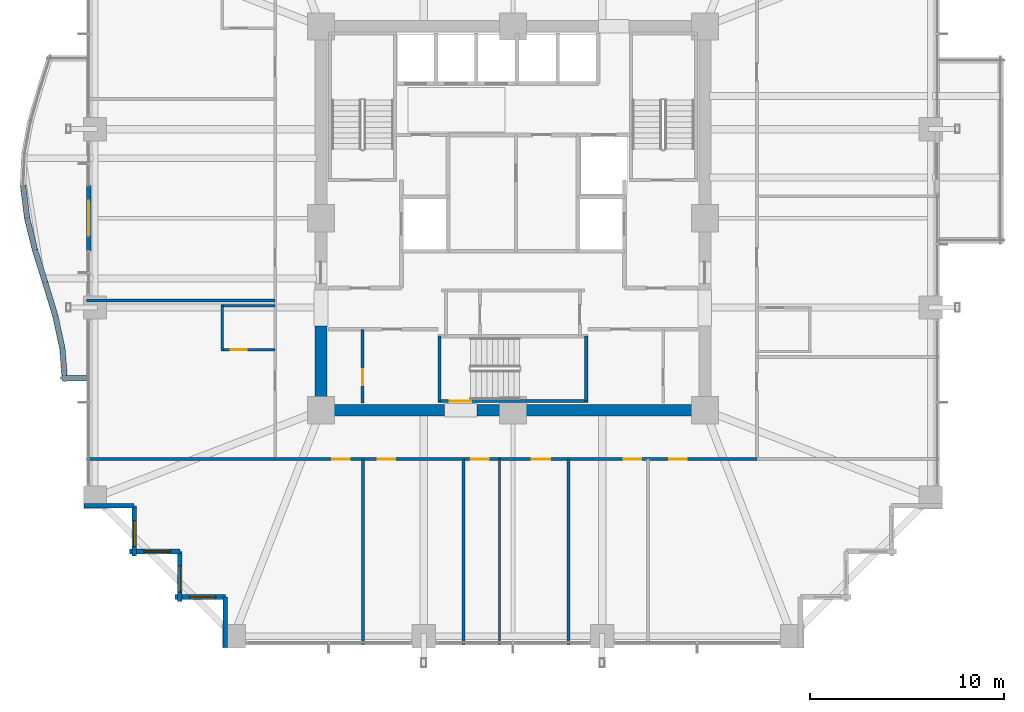
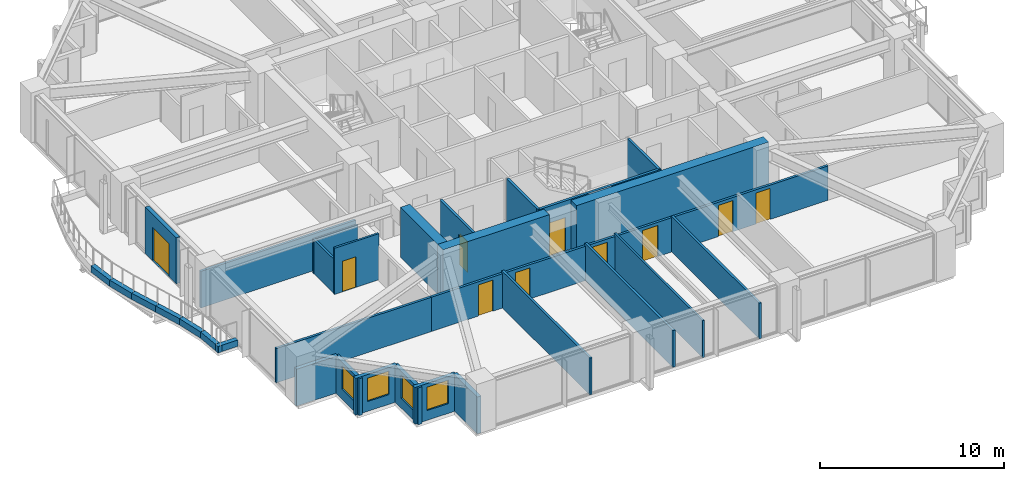
# One storey, part 32 of 38: 31 walls, 10 doors, 4 windows, 14 openings.
"""IFC4 building model written with IfcOpenShell, lengths in metres."""

from ifc_helpers import new_model, si_unit, direction, frame, frame_2d, origin, place, context, subcontext, project, spatial, rectangle, extrude, material, layer, layer_set, type_object, element, fill, save


model = new_model("IFC4")

# Units and contexts
model_context = context("Model", 3, precision=1e-05, world=origin(), true_north=direction((0.0, 1.0)))
body_context = subcontext(model_context, "Body", "Model", "MODEL_VIEW")
ifc_project = project(units=[si_unit("LENGTHUNIT", "METRE"), si_unit("AREAUNIT", "SQUARE_METRE"), si_unit("VOLUMEUNIT", "CUBIC_METRE"), si_unit("PLANEANGLEUNIT", "RADIAN"), si_unit("MASSUNIT", "GRAM", prefix="KILO")], contexts=[model_context])

# Site, building, storey
site_placement = place(None, origin())
site = spatial("IfcSite", under=ifc_project, at=site_placement, CompositionType="ELEMENT")
building_placement = place(site_placement, origin())
building = spatial("IfcBuilding", under=site, at=building_placement, Name="Kolvaren Belvedere", CompositionType="ELEMENT")
storey_placement = place(building_placement, frame((0.0, 0.0, 53.5)))
storey = spatial("IfcBuildingStorey", under=building, at=storey_placement, Name="L15", CompositionType="ELEMENT", Elevation=53.5)

# Walls
ifc_material_1 = material(Name="Concrete C60/75", Category="concrete")
ifc_layer_1 = layer(ifc_material_1, 0.60009765625)
ifc_layer_set_1 = layer_set([ifc_layer_1], Name="Concrete C60/75")
wall_type_1 = type_object("IfcWallType", Name="CW-CORE-600", PredefinedType="SHEAR", material=ifc_layer_set_1)
wall_1_placement = place(storey_placement, frame((10.199951171875, -9.89990234375, 0.0), z_axis=(0.0, 0.0, 1.0), x_axis=(-1.0, 0.0, 0.0)))
element("IfcWall", 1, at=wall_1_placement, inside=storey, type_object=wall_type_1, Name="L15 South Core Shear Wall 1", PredefinedType="SHEAR", context=body_context, shape_type="SweptSolid", body=[
    extrude(rectangle(XDim=12.06005859375, YDim=0.60009765625, at=frame_2d((6.030029296875, 0.0))), origin(), (0.0, 0.0, 1.0), 3.300048828125),
])
wall_2_placement = place(storey_placement, frame((-3.5400390625, -9.89990234375, 0.0), z_axis=(0.0, 0.0, 1.0), x_axis=(-1.0, 0.0, 0.0)))
element("IfcWall", 2, at=wall_2_placement, inside=storey, type_object=wall_type_1, Name="L15 South Core Shear Wall 2", PredefinedType="SHEAR", context=body_context, shape_type="SweptSolid", body=[
    extrude(rectangle(XDim=6.659912109375, YDim=0.60009765625, at=frame_2d((3.330078125, 0.0))), origin(), (0.0, 0.0, 1.0), 3.300048828125),
])
wall_3_placement = place(storey_placement, frame((-9.89990234375, -9.60009765625, 0.0), z_axis=(0.0, 0.0, 1.0), x_axis=(0.0, 1.0, 0.0)))
element("IfcWall", 3, at=wall_3_placement, inside=storey, type_object=wall_type_1, Name="L15 West Core Shear Wall 1", PredefinedType="SHEAR", context=body_context, shape_type="SweptSolid", body=[
    extrude(rectangle(XDim=4.050048828125, YDim=0.60009765625, at=frame_2d((2.02490234375, 0.0))), origin(), (0.0, 0.0, 1.0), 3.300048828125),
])

# Wall, opening, door
ifc_material_2 = material(Name="Concrete C50/60", Category="concrete")
ifc_layer_2 = layer(ifc_material_2, 0.159912109375)
ifc_layer_set_2 = layer_set([ifc_layer_2], Name="Concrete C50/60")
wall_type_2 = type_object("IfcWallType", Name="CW-STAIR-160", PredefinedType="SHEAR", material=ifc_layer_set_2)
wall_4_placement = place(storey_placement, frame((3.860107421875, -9.429931640625, 0.0), z_axis=(0.0, 0.0, 1.0), x_axis=(-1.0, 0.0, 0.0)))
wall_4 = element("IfcWall", 4, at=wall_4_placement, inside=storey, type_object=wall_type_2, Name="L15 Stair ST-3 South Shear Wall", PredefinedType="SHEAR", context=body_context, shape_type="SweptSolid", body=[
    extrude(rectangle(XDim=7.72021484375, YDim=0.159912109375, at=frame_2d((3.860107421875, 0.0))), origin(), (0.0, 0.0, 1.0), 3.300048828125),
])
opening_1_placement = place(wall_4_placement, frame((6.010009765625, 0.0, 0.0)))
opening_1 = element("IfcOpeningElement", 5, at=opening_1_placement, cuts=wall_4, Name="Opening D-FD90", PredefinedType="OPENING", context=body_context, shape_type="SweptSolid", body=[
    extrude(rectangle(XDim=1.10009765625, YDim=2.199951171875, at=frame_2d((0.550048828125, 1.10009765625))), frame((0.0, 0.08984375, 0.0), z_axis=(0.0, -1.0, 0.0), x_axis=(1.0, 0.0, 0.0)), (0.0, 0.0, 1.0), 0.179931640625),
])
ifc_material_3 = material(Name="Painted hollow stainless steel", Category="steel")
door_type_1 = type_object("IfcDoorType", Name="DR-FD90-1100", OperationType="NOTDEFINED", PredefinedType="DOOR", material=ifc_material_3)
door_1_placement = place(opening_1_placement, origin())
door_1 = element("IfcDoor", 6, at=door_1_placement, inside=storey, type_object=door_type_1, Name="L15 Stair ST-3 Exit Door", OperationType="SINGLE_SWING_RIGHT", OverallHeight=2.199951171875, OverallWidth=1.10009765625, PredefinedType="DOOR", context=body_context, shape_type="SweptSolid", body=[
    extrude(rectangle(XDim=1.10009765625, YDim=2.199951171875, at=frame_2d((0.550048828125, 1.10009765625))), frame((0.0, 0.02490234375, 0.0), z_axis=(0.0, -1.0, 0.0), x_axis=(1.0, 0.0, 0.0)), (0.0, 0.0, 1.0), 0.050048828125),
])
fill(opening_1, door_1)

# Walls
for number, where, z_axis, x_axis, name in (
    (7, (-3.780029296875, -9.429931640625, 0.0), (0.0, 0.0, 1.0), (0.0, 1.0, 0.0), "L15 Stair ST-3 West Shear Wall"),
    (8, (3.780029296875, -9.429931640625, 0.0), (0.0, 0.0, 1.0), (0.0, 1.0, 0.0), "L15 Stair ST-3 East Shear Wall"),
):
    element("IfcWall", number, at=place(storey_placement, frame(where, z_axis=z_axis, x_axis=x_axis)), inside=storey, type_object=wall_type_2, Name=name, PredefinedType="SHEAR", context=body_context, shape_type="SweptSolid", body=[
        extrude(rectangle(XDim=3.349853515625, YDim=0.159912109375, at=frame_2d((1.6748046875, 0.0))), origin(), (0.0, 0.0, 1.0), 3.300048828125),
    ])

# Wall, openings, doors
ifc_material_4 = material(Name="Gypsum fire-rated partition assembly", Category="gypsum")
ifc_layer_3 = layer(ifc_material_4, 0.14990234375)
ifc_layer_set_3 = layer_set([ifc_layer_3], Name="Gypsum fire-rated partition assembly")
wall_type_3 = type_object("IfcWallType", Name="WL-CORR-150", PredefinedType="PARTITIONING", material=ifc_layer_set_3)
wall_5_placement = place(storey_placement, frame((-12.260009765625, -12.419921875, 0.0), z_axis=(0.0, 0.0, 1.0), x_axis=(1.0, 0.0, 0.0)))
wall_5 = element("IfcWall", 9, at=wall_5_placement, inside=storey, type_object=wall_type_3, Name="L15 South Corridor Wall", PredefinedType="PARTITIONING", context=body_context, shape_type="SweptSolid", body=[
    extrude(rectangle(XDim=24.840087890625, YDim=0.14990234375, at=frame_2d((12.419921875, 0.0))), origin(), (0.0, 0.0, 1.0), 2.27197265625),
])
opening_2_placement = place(wall_5_placement, frame((2.9443359375, 0.0, 0.0)))
opening_2 = element("IfcOpeningElement", 10, at=opening_2_placement, cuts=wall_5, Name="Opening D-INT90", PredefinedType="OPENING", context=body_context, shape_type="SweptSolid", body=[
    extrude(rectangle(XDim=0.89990234375, YDim=2.06005859375, at=frame_2d((0.449951171875, 1.030029296875))), frame((0.0, 0.0849609375, 0.0), z_axis=(0.0, -1.0, 0.0), x_axis=(1.0, 0.0, 0.0)), (0.0, 0.0, 1.0), 0.169921875),
])
opening_3_placement = place(wall_5_placement, frame((5.279296875, 0.0, 0.0)))
opening_3 = element("IfcOpeningElement", 11, at=opening_3_placement, cuts=wall_5, Name="Opening D-INT90", PredefinedType="OPENING", context=body_context, shape_type="SweptSolid", body=[
    extrude(rectangle(XDim=0.89990234375, YDim=2.06005859375, at=frame_2d((0.449951171875, 1.030029296875))), frame((0.0, 0.0849609375, 0.0), z_axis=(0.0, -1.0, 0.0), x_axis=(1.0, 0.0, 0.0)), (0.0, 0.0, 1.0), 0.169921875),
])
opening_4_placement = place(wall_5_placement, frame((10.119873046875, 0.0, 0.0)))
opening_4 = element("IfcOpeningElement", 12, at=opening_4_placement, cuts=wall_5, Name="Opening D-INT90", PredefinedType="OPENING", context=body_context, shape_type="SweptSolid", body=[
    extrude(rectangle(XDim=0.89990234375, YDim=2.06005859375, at=frame_2d((0.449951171875, 1.030029296875))), frame((0.0, 0.0849609375, 0.0), z_axis=(0.0, -1.0, 0.0), x_axis=(1.0, 0.0, 0.0)), (0.0, 0.0, 1.0), 0.169921875),
])
opening_5_placement = place(wall_5_placement, frame((13.22802734375, 0.0, 0.0)))
opening_5 = element("IfcOpeningElement", 13, at=opening_5_placement, cuts=wall_5, Name="Opening D-INT95", PredefinedType="OPENING", context=body_context, shape_type="SweptSolid", body=[
    extrude(rectangle(XDim=0.949951171875, YDim=2.06005859375, at=frame_2d((0.47509765625, 1.030029296875))), frame((0.0, 0.0849609375, 0.0), z_axis=(0.0, -1.0, 0.0), x_axis=(1.0, 0.0, 0.0)), (0.0, 0.0, 1.0), 0.169921875),
])
opening_6_placement = place(wall_5_placement, frame((17.983154296875, 0.0, 0.0)))
opening_6 = element("IfcOpeningElement", 14, at=opening_6_placement, cuts=wall_5, Name="Opening D-INT90", PredefinedType="OPENING", context=body_context, shape_type="SweptSolid", body=[
    extrude(rectangle(XDim=0.89990234375, YDim=2.06005859375, at=frame_2d((0.449951171875, 1.030029296875))), frame((0.0, 0.0849609375, 0.0), z_axis=(0.0, -1.0, 0.0), x_axis=(1.0, 0.0, 0.0)), (0.0, 0.0, 1.0), 0.169921875),
])
opening_7_placement = place(wall_5_placement, frame((20.318115234375, 0.0, 0.0)))
opening_7 = element("IfcOpeningElement", 15, at=opening_7_placement, cuts=wall_5, Name="Opening D-INT90", PredefinedType="OPENING", context=body_context, shape_type="SweptSolid", body=[
    extrude(rectangle(XDim=0.89990234375, YDim=2.06005859375, at=frame_2d((0.449951171875, 1.030029296875))), frame((0.0, 0.0849609375, 0.0), z_axis=(0.0, -1.0, 0.0), x_axis=(1.0, 0.0, 0.0)), (0.0, 0.0, 1.0), 0.169921875),
])
ifc_material_5 = material(Name="Stained Pacific white oak", Category="timber")
door_type_2 = type_object("IfcDoorType", Name="DR-INT-900", OperationType="NOTDEFINED", PredefinedType="DOOR", material=ifc_material_5)
door_2_placement = place(opening_2_placement, origin())
door_2 = element("IfcDoor", 16, at=door_2_placement, inside=storey, type_object=door_type_2, Name="L15 Lounge 1501 Door", OperationType="SINGLE_SWING_LEFT", OverallHeight=2.06005859375, OverallWidth=0.89990234375, PredefinedType="DOOR", context=body_context, shape_type="SweptSolid", body=[
    extrude(rectangle(XDim=0.89990234375, YDim=2.06005859375, at=frame_2d((0.449951171875, 1.030029296875))), frame((0.0, 0.02490234375, 0.0), z_axis=(0.0, -1.0, 0.0), x_axis=(1.0, 0.0, 0.0)), (0.0, 0.0, 1.0), 0.050048828125),
])
fill(opening_2, door_2)
door_3_placement = place(opening_3_placement, origin())
door_3 = element("IfcDoor", 17, at=door_3_placement, inside=storey, type_object=door_type_2, Name="L15 Wellness Yoga & Reading Gym 1502 Door", OperationType="SINGLE_SWING_RIGHT", OverallHeight=2.06005859375, OverallWidth=0.89990234375, PredefinedType="DOOR", context=body_context, shape_type="SweptSolid", body=[
    extrude(rectangle(XDim=0.89990234375, YDim=2.06005859375, at=frame_2d((0.449951171875, 1.030029296875))), frame((0.0, 0.02490234375, 0.0), z_axis=(0.0, -1.0, 0.0), x_axis=(1.0, 0.0, 0.0)), (0.0, 0.0, 1.0), 0.050048828125),
])
fill(opening_3, door_3)
door_4_placement = place(opening_4_placement, origin())
door_4 = element("IfcDoor", 18, at=door_4_placement, inside=storey, type_object=door_type_2, Name="L15 Housekeeping Door", OperationType="SINGLE_SWING_LEFT", OverallHeight=2.06005859375, OverallWidth=0.89990234375, PredefinedType="DOOR", context=body_context, shape_type="SweptSolid", body=[
    extrude(rectangle(XDim=0.89990234375, YDim=2.06005859375, at=frame_2d((0.449951171875, 1.030029296875))), frame((0.0, 0.02490234375, 0.0), z_axis=(0.0, -1.0, 0.0), x_axis=(1.0, 0.0, 0.0)), (0.0, 0.0, 1.0), 0.050048828125),
])
fill(opening_4, door_4)
door_5_placement = place(opening_6_placement, origin())
door_5 = element("IfcDoor", 19, at=door_5_placement, inside=storey, type_object=door_type_2, Name="L15 Guest Tea & Espresso Kitchen 1503 Door", OperationType="SINGLE_SWING_LEFT", OverallHeight=2.06005859375, OverallWidth=0.89990234375, PredefinedType="DOOR", context=body_context, shape_type="SweptSolid", body=[
    extrude(rectangle(XDim=0.89990234375, YDim=2.06005859375, at=frame_2d((0.449951171875, 1.030029296875))), frame((0.0, 0.02490234375, 0.0), z_axis=(0.0, -1.0, 0.0), x_axis=(1.0, 0.0, 0.0)), (0.0, 0.0, 1.0), 0.050048828125),
])
fill(opening_6, door_5)
door_6_placement = place(opening_7_placement, origin())
door_6 = element("IfcDoor", 20, at=door_6_placement, inside=storey, type_object=door_type_2, Name="L15 Lounge 1504 Door", OperationType="SINGLE_SWING_RIGHT", OverallHeight=2.06005859375, OverallWidth=0.89990234375, PredefinedType="DOOR", context=body_context, shape_type="SweptSolid", body=[
    extrude(rectangle(XDim=0.89990234375, YDim=2.06005859375, at=frame_2d((0.449951171875, 1.030029296875))), frame((0.0, 0.02490234375, 0.0), z_axis=(0.0, -1.0, 0.0), x_axis=(1.0, 0.0, 0.0)), (0.0, 0.0, 1.0), 0.050048828125),
])
fill(opening_7, door_6)
ifc_material_6 = material(Name="Stained Pacific white oak", Category="timber")
door_type_3 = type_object("IfcDoorType", Name="DR-INT-950", OperationType="NOTDEFINED", PredefinedType="DOOR", material=ifc_material_6)
door_7_placement = place(opening_5_placement, origin())
door_7 = element("IfcDoor", 21, at=door_7_placement, inside=storey, type_object=door_type_3, Name="L15 Accessible Washroom Door", OperationType="SINGLE_SWING_RIGHT", OverallHeight=2.06005859375, OverallWidth=0.949951171875, PredefinedType="DOOR", context=body_context, shape_type="SweptSolid", body=[
    extrude(rectangle(XDim=0.949951171875, YDim=2.06005859375, at=frame_2d((0.47509765625, 1.030029296875))), frame((0.0, 0.02490234375, 0.0), z_axis=(0.0, -1.0, 0.0), x_axis=(1.0, 0.0, 0.0)), (0.0, 0.0, 1.0), 0.050048828125),
])
fill(opening_5, door_7)

# Wall, opening, door
ifc_material_7 = material(Name="Insulated pale-metal facade wall assembly", Category="aluminium")
ifc_layer_4 = layer(ifc_material_7, 0.239990234375)
ifc_layer_set_4 = layer_set([ifc_layer_4], Name="Insulated pale-metal facade wall assembly")
wall_type_4 = type_object("IfcWallType", Name="WL-EXT-240", PredefinedType="STANDARD", material=ifc_layer_set_4)
wall_6_placement = place(storey_placement, frame((-21.8798828125, -1.679931640625, 0.0), z_axis=(0.0, 0.0, 1.0), x_axis=(0.0, 1.0, 0.0)))
wall_6 = element("IfcWall", 22, at=wall_6_placement, inside=storey, type_object=wall_type_4, Name="L15 West Terrace Portal Wall", PredefinedType="STANDARD", context=body_context, shape_type="SweptSolid", body=[
    extrude(rectangle(XDim=3.35986328125, YDim=0.239990234375, at=frame_2d((1.679931640625, 0.0))), origin(), (0.0, 0.0, 1.0), 3.06005859375),
])
opening_8_placement = place(wall_6_placement, frame((0.780029296875, 0.0, 0.0)))
opening_8 = element("IfcOpeningElement", 23, at=opening_8_placement, cuts=wall_6, Name="Opening DB-1800", PredefinedType="OPENING", context=body_context, shape_type="SweptSolid", body=[
    extrude(rectangle(XDim=1.800048828125, YDim=2.199951171875, at=frame_2d((0.89990234375, 1.10009765625))), frame((0.0, 0.1298828125, 0.0), z_axis=(0.0, -1.0, 0.0), x_axis=(1.0, 0.0, 0.0)), (0.0, 0.0, 1.0), 0.260009765625),
])
ifc_material_8 = material(Name="Thermally broken pale-metal aluminium & low-iron glass", Category="aluminium")
door_type_4 = type_object("IfcDoorType", Name="DR-BAL-1800", OperationType="DOUBLE_DOOR_SLIDING", PredefinedType="DOOR", material=ifc_material_8)
door_8_placement = place(opening_8_placement, origin())
door_8 = element("IfcDoor", 24, at=door_8_placement, inside=storey, type_object=door_type_4, Name="L15 West Planted Terrace Sliding Door", OperationType="DOUBLE_DOOR_SLIDING", OverallHeight=2.199951171875, OverallWidth=1.800048828125, PredefinedType="DOOR", context=body_context, shape_type="SweptSolid", body=[
    extrude(rectangle(XDim=1.800048828125, YDim=2.199951171875, at=frame_2d((0.89990234375, 1.10009765625))), frame((0.0, 0.02490234375, 0.0), z_axis=(0.0, -1.0, 0.0), x_axis=(1.0, 0.0, 0.0)), (0.0, 0.0, 1.0), 0.050048828125),
])
fill(opening_8, door_8)

# Wall
wall_7_placement = place(storey_placement, frame((-19.530029296875, -14.830078125, 0.0), z_axis=(0.0, 0.0, 1.0), x_axis=(-1.0, 0.0, 0.0)))
element("IfcWall", 25, at=wall_7_placement, inside=storey, type_object=wall_type_4, Name="L15 Serrated Corner Facade Wall 23", PredefinedType="STANDARD", context=body_context, shape_type="SweptSolid", body=[
    extrude(rectangle(XDim=2.590087890625, YDim=0.239990234375, at=frame_2d((1.294921875, 0.0))), origin(), (0.0, 0.0, 1.0), 2.43896484375),
])

# Wall, opening, window
wall_8_placement = place(storey_placement, frame((-19.530029296875, -17.419921875, 0.0), z_axis=(0.0, 0.0, 1.0), x_axis=(0.0, 1.0, 0.0)))
wall_8 = element("IfcWall", 26, at=wall_8_placement, inside=storey, type_object=wall_type_4, Name="L15 Serrated Corner Facade Wall 24", PredefinedType="STANDARD", context=body_context, shape_type="SweptSolid", body=[
    extrude(rectangle(XDim=2.58984375, YDim=0.239990234375, at=frame_2d((1.294921875, 0.0))), origin(), (0.0, 0.0, 1.0), 2.43896484375),
])
opening_9_placement = place(wall_8_placement, frame((0.5, 0.0, 0.64990234375)))
opening_9 = element("IfcOpeningElement", 27, at=opening_9_placement, cuts=wall_8, Name="Opening W-1350", PredefinedType="OPENING", context=body_context, shape_type="SweptSolid", body=[
    extrude(rectangle(XDim=1.35009765625, YDim=1.550048828125, at=frame_2d((0.675048828125, 0.77490234375))), frame((0.0, 0.1298828125, 0.0), z_axis=(0.0, -1.0, 0.0), x_axis=(1.0, 0.0, 0.0)), (0.0, 0.0, 1.0), 0.260009765625),
])
ifc_material_9 = material(Name="Low-iron triple insulated glass", Category="glass")
window_type = type_object("IfcWindowType", Name="WN-CORN-1350", PartitioningType="SINGLE_PANEL", PredefinedType="WINDOW", material=ifc_material_9)
window_1_placement = place(opening_9_placement, origin())
window_1 = element("IfcWindow", 28, at=window_1_placement, inside=storey, type_object=window_type, Name="L15 Serrated Corner Vision Window 24", OverallHeight=1.550048828125, OverallWidth=1.35009765625, PartitioningType="SINGLE_PANEL", PredefinedType="WINDOW", context=body_context, shape_type="SweptSolid", body=[
    extrude(rectangle(XDim=1.35009765625, YDim=1.550048828125, at=frame_2d((0.675048828125, 0.77490234375))), frame((0.0, 0.030029296875, 0.0), z_axis=(0.0, -1.0, 0.0), x_axis=(1.0, 0.0, 0.0)), (0.0, 0.0, 1.0), 0.06005859375),
])
fill(opening_9, window_1)

wall_9_placement = place(storey_placement, frame((-17.179931640625, -17.179931640625, 0.0), z_axis=(0.0, 0.0, 1.0), x_axis=(-1.0, 0.0, 0.0)))
wall_9 = element("IfcWall", 29, at=wall_9_placement, inside=storey, type_object=wall_type_4, Name="L15 Serrated Corner Facade Wall 25", PredefinedType="STANDARD", context=body_context, shape_type="SweptSolid", body=[
    extrude(rectangle(XDim=2.590087890625, YDim=0.239990234375, at=frame_2d((1.294921875, 0.0))), origin(), (0.0, 0.0, 1.0), 2.43896484375),
])
opening_10_placement = place(wall_9_placement, frame((0.5, 0.0, 0.64990234375)))
opening_10 = element("IfcOpeningElement", 30, at=opening_10_placement, cuts=wall_9, Name="Opening W-1350", PredefinedType="OPENING", context=body_context, shape_type="SweptSolid", body=[
    extrude(rectangle(XDim=1.35009765625, YDim=1.550048828125, at=frame_2d((0.675048828125, 0.77490234375))), frame((0.0, 0.1298828125, 0.0), z_axis=(0.0, -1.0, 0.0), x_axis=(1.0, 0.0, 0.0)), (0.0, 0.0, 1.0), 0.260009765625),
])
window_2_placement = place(opening_10_placement, origin())
window_2 = element("IfcWindow", 31, at=window_2_placement, inside=storey, type_object=window_type, Name="L15 Serrated Corner Vision Window 25", OverallHeight=1.550048828125, OverallWidth=1.35009765625, PartitioningType="SINGLE_PANEL", PredefinedType="WINDOW", context=body_context, shape_type="SweptSolid", body=[
    extrude(rectangle(XDim=1.35009765625, YDim=1.550048828125, at=frame_2d((0.675048828125, 0.77490234375))), frame((0.0, 0.030029296875, 0.0), z_axis=(0.0, -1.0, 0.0), x_axis=(1.0, 0.0, 0.0)), (0.0, 0.0, 1.0), 0.06005859375),
])
fill(opening_10, window_2)

wall_10_placement = place(storey_placement, frame((-17.179931640625, -19.77001953125, 0.0), z_axis=(0.0, 0.0, 1.0), x_axis=(0.0, 1.0, 0.0)))
wall_10 = element("IfcWall", 32, at=wall_10_placement, inside=storey, type_object=wall_type_4, Name="L15 Serrated Corner Facade Wall 26", PredefinedType="STANDARD", context=body_context, shape_type="SweptSolid", body=[
    extrude(rectangle(XDim=2.590087890625, YDim=0.239990234375, at=frame_2d((1.294921875, 0.0))), origin(), (0.0, 0.0, 1.0), 2.43896484375),
])
opening_11_placement = place(wall_10_placement, frame((0.5, 0.0, 0.64990234375)))
opening_11 = element("IfcOpeningElement", 33, at=opening_11_placement, cuts=wall_10, Name="Opening W-1350", PredefinedType="OPENING", context=body_context, shape_type="SweptSolid", body=[
    extrude(rectangle(XDim=1.35009765625, YDim=1.550048828125, at=frame_2d((0.675048828125, 0.77490234375))), frame((0.0, 0.1298828125, 0.0), z_axis=(0.0, -1.0, 0.0), x_axis=(1.0, 0.0, 0.0)), (0.0, 0.0, 1.0), 0.260009765625),
])
window_3_placement = place(opening_11_placement, origin())
window_3 = element("IfcWindow", 34, at=window_3_placement, inside=storey, type_object=window_type, Name="L15 Serrated Corner Vision Window 26", OverallHeight=1.550048828125, OverallWidth=1.35009765625, PartitioningType="SINGLE_PANEL", PredefinedType="WINDOW", context=body_context, shape_type="SweptSolid", body=[
    extrude(rectangle(XDim=1.35009765625, YDim=1.550048828125, at=frame_2d((0.675048828125, 0.77490234375))), frame((0.0, 0.030029296875, 0.0), z_axis=(0.0, -1.0, 0.0), x_axis=(1.0, 0.0, 0.0)), (0.0, 0.0, 1.0), 0.06005859375),
])
fill(opening_11, window_3)

wall_11_placement = place(storey_placement, frame((-14.830078125, -19.530029296875, 0.0), z_axis=(0.0, 0.0, 1.0), x_axis=(-1.0, 0.0, 0.0)))
wall_11 = element("IfcWall", 35, at=wall_11_placement, inside=storey, type_object=wall_type_4, Name="L15 Serrated Corner Facade Wall 27", PredefinedType="STANDARD", context=body_context, shape_type="SweptSolid", body=[
    extrude(rectangle(XDim=2.58984375, YDim=0.239990234375, at=frame_2d((1.294921875, 0.0))), origin(), (0.0, 0.0, 1.0), 2.43896484375),
])
opening_12_placement = place(wall_11_placement, frame((0.5, 0.0, 0.64990234375)))
opening_12 = element("IfcOpeningElement", 36, at=opening_12_placement, cuts=wall_11, Name="Opening W-1350", PredefinedType="OPENING", context=body_context, shape_type="SweptSolid", body=[
    extrude(rectangle(XDim=1.35009765625, YDim=1.550048828125, at=frame_2d((0.675048828125, 0.77490234375))), frame((0.0, 0.1298828125, 0.0), z_axis=(0.0, -1.0, 0.0), x_axis=(1.0, 0.0, 0.0)), (0.0, 0.0, 1.0), 0.260009765625),
])
window_4_placement = place(opening_12_placement, origin())
window_4 = element("IfcWindow", 37, at=window_4_placement, inside=storey, type_object=window_type, Name="L15 Serrated Corner Vision Window 27", OverallHeight=1.550048828125, OverallWidth=1.35009765625, PartitioningType="SINGLE_PANEL", PredefinedType="WINDOW", context=body_context, shape_type="SweptSolid", body=[
    extrude(rectangle(XDim=1.35009765625, YDim=1.550048828125, at=frame_2d((0.675048828125, 0.77490234375))), frame((0.0, 0.030029296875, 0.0), z_axis=(0.0, -1.0, 0.0), x_axis=(1.0, 0.0, 0.0)), (0.0, 0.0, 1.0), 0.06005859375),
])
fill(opening_12, window_4)

# Wall
wall_12_placement = place(storey_placement, frame((-14.830078125, -22.1201171875, 0.0), z_axis=(0.0, 0.0, 1.0), x_axis=(0.0, 1.0, 0.0)))
element("IfcWall", 38, at=wall_12_placement, inside=storey, type_object=wall_type_4, Name="L15 Serrated Corner Facade Wall 28", PredefinedType="STANDARD", context=body_context, shape_type="SweptSolid", body=[
    extrude(rectangle(XDim=2.590087890625, YDim=0.239990234375, at=frame_2d((1.294921875, 0.0))), origin(), (0.0, 0.0, 1.0), 2.43896484375),
])

# Wall, opening, door
ifc_material_10 = material(Name="Gypsum acoustic partition assembly", Category="gypsum")
ifc_layer_5 = layer(ifc_material_10, 0.14990234375)
ifc_layer_set_5 = layer_set([ifc_layer_5], Name="Gypsum acoustic partition assembly")
wall_type_5 = type_object("IfcWallType", Name="WL-PART-150", PredefinedType="PARTITIONING", material=ifc_layer_set_5)
wall_13_placement = place(storey_placement, frame((-7.75, -9.52001953125, 0.0), z_axis=(0.0, 0.0, 1.0), x_axis=(0.0, 1.0, 0.0)))
wall_13 = element("IfcWall", 39, at=wall_13_placement, inside=storey, type_object=wall_type_5, Name="L15 SW Core Asymmetric Divider", PredefinedType="PARTITIONING", context=body_context, shape_type="SweptSolid", body=[
    extrude(rectangle(XDim=3.800048828125, YDim=0.14990234375, at=frame_2d((1.89990234375, 0.0))), origin(), (0.0, 0.0, 1.0), 3.06005859375),
])
opening_13_placement = place(wall_13_placement, frame((0.89990234375, 0.0, 0.0)))
opening_13 = element("IfcOpeningElement", 40, at=opening_13_placement, cuts=wall_13, Name="Opening D-INT85", PredefinedType="OPENING", context=body_context, shape_type="SweptSolid", body=[
    extrude(rectangle(XDim=0.85009765625, YDim=2.030029296875, at=frame_2d((0.425048828125, 1.01513671875))), frame((0.0, 0.0849609375, 0.0), z_axis=(0.0, -1.0, 0.0), x_axis=(1.0, 0.0, 0.0)), (0.0, 0.0, 1.0), 0.169921875),
])
ifc_material_11 = material(Name="Stained Pacific white oak", Category="timber")
door_type_5 = type_object("IfcDoorType", Name="DR-INT-850", OperationType="NOTDEFINED", PredefinedType="DOOR", material=ifc_material_11)
door_9_placement = place(opening_13_placement, origin())
door_9 = element("IfcDoor", 41, at=door_9_placement, inside=storey, type_object=door_type_5, Name="L15 SW Glassware Door", OperationType="SINGLE_SWING_RIGHT", OverallHeight=2.030029296875, OverallWidth=0.85009765625, PredefinedType="DOOR", context=body_context, shape_type="SweptSolid", body=[
    extrude(rectangle(XDim=0.85009765625, YDim=2.030029296875, at=frame_2d((0.425048828125, 1.01513671875))), frame((0.0, 0.02490234375, 0.0), z_axis=(0.0, -1.0, 0.0), x_axis=(1.0, 0.0, 0.0)), (0.0, 0.0, 1.0), 0.050048828125),
])
fill(opening_13, door_9)

# Walls
wall_14_placement = place(storey_placement, frame((-21.97998046875, -12.419921875, 0.0), z_axis=(0.0, 0.0, 1.0), x_axis=(1.0, 0.0, 0.0)))
element("IfcWall", 42, at=wall_14_placement, inside=storey, type_object=wall_type_5, Name="L15 Wing Divider PW-L15-QSW", PredefinedType="PARTITIONING", context=body_context, shape_type="SweptSolid", body=[
    extrude(rectangle(XDim=9.719970703125, YDim=0.14990234375, at=frame_2d((4.85986328125, 0.0))), origin(), (0.0, 0.0, 1.0), 2.27197265625),
])
for number, where, z_axis, x_axis, name in (
    (43, (-7.739990234375, -21.97998046875, 0.0), (0.0, 0.0, 1.0), (0.0, 1.0, 0.0), "L15 South Suite Demising Wall 1"),
    (44, (-2.5400390625, -21.97998046875, 0.0), (0.0, 0.0, 1.0), (0.0, 1.0, 0.0), "L15 South Suite Demising Wall 2"),
):
    element("IfcWall", number, at=place(storey_placement, frame(where, z_axis=z_axis, x_axis=x_axis)), inside=storey, type_object=wall_type_5, Name=name, PredefinedType="PARTITIONING", context=body_context, shape_type="SweptSolid", body=[
        extrude(rectangle(XDim=9.56005859375, YDim=0.14990234375, at=frame_2d((4.780029296875, 0.0))), origin(), (0.0, 0.0, 1.0), 2.428955078125),
    ])
wall_15_placement = place(storey_placement, frame((2.860107421875, -21.97998046875, 0.0), z_axis=(0.0, 0.0, 1.0), x_axis=(0.0, 1.0, 0.0)))
element("IfcWall", 45, at=wall_15_placement, inside=storey, type_object=wall_type_5, Name="L15 South Suite Demising Wall 3", PredefinedType="PARTITIONING", context=body_context, shape_type="SweptSolid", body=[
    extrude(rectangle(XDim=9.56005859375, YDim=0.14990234375, at=frame_2d((4.780029296875, 0.0))), origin(), (0.0, 0.0, 1.0), 2.34912109375),
])
wall_16_placement = place(storey_placement, frame((-21.97998046875, -4.243896484375, 0.0), z_axis=(0.0, 0.0, 1.0), x_axis=(1.0, 0.0, 0.0)))
element("IfcWall", 46, at=wall_16_placement, inside=storey, type_object=wall_type_5, Name="L15 West Suite Demising Wall 1", PredefinedType="PARTITIONING", context=body_context, shape_type="SweptSolid", body=[
    extrude(rectangle(XDim=9.719970703125, YDim=0.14990234375, at=frame_2d((4.85986328125, 0.0))), origin(), (0.0, 0.0, 1.0), 2.428955078125),
])
ifc_material_12 = material(Name="Precast concrete C40/50", Category="concrete")
ifc_layer_6 = layer(ifc_material_12, 0.300048828125)
ifc_layer_set_6 = layer_set([ifc_layer_6], Name="Precast concrete C40/50")
wall_type_6 = type_object("IfcWallType", Name="WL-PLANTER-300", PredefinedType="PARAPET", material=ifc_layer_set_6)
wall_17_placement = place(storey_placement, frame((-25.26123046875, 1.699462890625, -0.06005859375), z_axis=(0.0, 0.0, 1.0), x_axis=(0.121886315522, -0.99254406758, 0.0)))
element("IfcWall", 47, at=wall_17_placement, inside=storey, type_object=wall_type_6, Name="L15 Precast Structural Planter Wall BAL-W-5", PredefinedType="PARAPET", context=body_context, shape_type="SweptSolid", body=[
    extrude(rectangle(XDim=1.692626953125, YDim=0.280029296875, at=frame_2d((0.84619140625, 0.0))), origin(), (0.0, 0.0, 1.0), 0.420166015625),
])
wall_18_placement = place(storey_placement, frame((-25.058349609375, 0.038330078125, -0.06005859375), z_axis=(0.0, 0.0, 1.0), x_axis=(0.23931377861, -0.970942282202, 0.0)))
element("IfcWall", 48, at=wall_18_placement, inside=storey, type_object=wall_type_6, Name="L15 Precast Structural Planter Wall BAL-W-6", PredefinedType="PARAPET", context=body_context, shape_type="SweptSolid", body=[
    extrude(rectangle(XDim=1.730224609375, YDim=0.280029296875, at=frame_2d((0.865234375, 0.0))), origin(), (0.0, 0.0, 1.0), 0.420166015625),
])
wall_19_placement = place(storey_placement, frame((-24.647216796875, -1.632080078125, -0.06005859375), z_axis=(0.0, 0.0, 1.0), x_axis=(0.299624691176, -0.954057149461, 0.0)))
element("IfcWall", 49, at=wall_19_placement, inside=storey, type_object=wall_type_6, Name="L15 Precast Structural Planter Wall BAL-W-7", PredefinedType="PARAPET", context=body_context, shape_type="SweptSolid", body=[
    extrude(rectangle(XDim=1.7607421875, YDim=0.280029296875, at=frame_2d((0.88037109375, 0.0))), origin(), (0.0, 0.0, 1.0), 0.420166015625),
])
wall_20_placement = place(storey_placement, frame((-24.119140625, -3.3134765625, -0.06005859375), z_axis=(0.0, 0.0, 1.0), x_axis=(0.291006697567, -0.956721015747, 0.0)))
element("IfcWall", 50, at=wall_20_placement, inside=storey, type_object=wall_type_6, Name="L15 Precast Structural Planter Wall BAL-W-8", PredefinedType="PARAPET", context=body_context, shape_type="SweptSolid", body=[
    extrude(rectangle(XDim=1.755859375, YDim=0.280029296875, at=frame_2d((0.8779296875, 0.0))), origin(), (0.0, 0.0, 1.0), 0.420166015625),
])
wall_21_placement = place(storey_placement, frame((-23.60498046875, -5.005859375, -0.06005859375), z_axis=(0.0, 0.0, 1.0), x_axis=(0.213802724545, -0.976876857632, 0.0)))
element("IfcWall", 51, at=wall_21_placement, inside=storey, type_object=wall_type_6, Name="L15 Precast Structural Planter Wall BAL-W-9", PredefinedType="PARAPET", context=body_context, shape_type="SweptSolid", body=[
    extrude(rectangle(XDim=1.7197265625, YDim=0.280029296875, at=frame_2d((0.85986328125, 0.0))), origin(), (0.0, 0.0, 1.0), 0.420166015625),
])
wall_22_placement = place(storey_placement, frame((-23.234130859375, -6.707275390625, -0.06005859375), z_axis=(0.0, 0.0, 1.0), x_axis=(0.079244268248, -0.99685522818, 0.0)))
element("IfcWall", 52, at=wall_22_placement, inside=storey, type_object=wall_type_6, Name="L15 Precast Structural Planter Wall BAL-W-10", PredefinedType="PARAPET", context=body_context, shape_type="SweptSolid", body=[
    extrude(rectangle(XDim=1.685302734375, YDim=0.280029296875, at=frame_2d((0.8427734375, 0.0))), origin(), (0.0, 0.0, 1.0), 0.420166015625),
])
wall_23_placement = place(storey_placement, frame((-23.260009765625, -8.239990234375, -0.06005859375), z_axis=(0.0, 0.0, 1.0), x_axis=(1.0, 0.0, 0.0)))
element("IfcWall", 53, at=wall_23_placement, inside=storey, type_object=wall_type_6, Name="L15 Precast Structural Planter Wall BAL-W-11", PredefinedType="PARAPET", context=body_context, shape_type="SweptSolid", body=[
    extrude(rectangle(XDim=1.260009765625, YDim=0.280029296875, at=frame_2d((0.6298828125, 0.0))), origin(), (0.0, 0.0, 1.0), 0.420166015625),
])
ifc_material_13 = material(Name="Moisture-resistant gypsum partition", Category="gypsum")
ifc_layer_7 = layer(ifc_material_13, 0.125)
ifc_layer_set_7 = layer_set([ifc_layer_7], Name="Moisture-resistant gypsum partition")
wall_type_7 = type_object("IfcWallType", Name="WL-WET-125", PredefinedType="PARTITIONING", material=ifc_layer_set_7)
wall_24_placement = place(storey_placement, frame((-0.694091796875, -21.97998046875, 0.0), z_axis=(0.0, 0.0, 1.0), x_axis=(0.0, 1.0, 0.0)))
element("IfcWall", 54, at=wall_24_placement, inside=storey, type_object=wall_type_7, Name="L15 Housekeeping Washroom Divider", PredefinedType="PARTITIONING", context=body_context, shape_type="SweptSolid", body=[
    extrude(rectangle(XDim=9.5849609375, YDim=0.125, at=frame_2d((4.79248046875, 0.0))), origin(), (0.0, 0.0, 1.0), 2.428955078125),
])

# Wall, opening, door
wall_25_placement = place(storey_placement, frame((-15.06494140625, -6.76904296875, 0.0), z_axis=(0.0, 0.0, 1.0), x_axis=(1.0, 0.0, 0.0)))
wall_25 = element("IfcWall", 55, at=wall_25_placement, inside=storey, type_object=wall_type_7, Name="L15 Bathroom Partition PW-L15-BTH-8-N", PredefinedType="PARTITIONING", context=body_context, shape_type="SweptSolid", body=[
    extrude(rectangle(XDim=2.7900390625, YDim=0.125, at=frame_2d((1.39501953125, 0.0))), origin(), (0.0, 0.0, 1.0), 3.06005859375),
])
opening_14_placement = place(wall_25_placement, frame((0.5, 0.0, 0.0)))
opening_14 = element("IfcOpeningElement", 56, at=opening_14_placement, cuts=wall_25, Name="Opening D-BTH85", PredefinedType="OPENING", context=body_context, shape_type="SweptSolid", body=[
    extrude(rectangle(XDim=0.85009765625, YDim=2.030029296875, at=frame_2d((0.425048828125, 1.01513671875))), frame((0.0, 0.072509765625, 0.0), z_axis=(0.0, -1.0, 0.0), x_axis=(1.0, 0.0, 0.0)), (0.0, 0.0, 1.0), 0.14501953125),
])
ifc_material_14 = material(Name="Moisture-sealed Pacific white oak", Category="timber")
door_type_6 = type_object("IfcDoorType", Name="DR-BATH-850", OperationType="NOTDEFINED", PredefinedType="DOOR", material=ifc_material_14)
door_10_placement = place(opening_14_placement, origin())
door_10 = element("IfcDoor", 57, at=door_10_placement, inside=storey, type_object=door_type_6, Name="L15 En-Suite Bathroom 1508 Door", OperationType="SINGLE_SWING_LEFT", OverallHeight=2.030029296875, OverallWidth=0.85009765625, PredefinedType="DOOR", context=body_context, shape_type="SweptSolid", body=[
    extrude(rectangle(XDim=0.85009765625, YDim=2.030029296875, at=frame_2d((0.425048828125, 1.01513671875))), frame((0.0, 0.02490234375, 0.0), z_axis=(0.0, -1.0, 0.0), x_axis=(1.0, 0.0, 0.0)), (0.0, 0.0, 1.0), 0.050048828125),
])
fill(opening_14, door_10)

# Walls
wall_26_placement = place(storey_placement, frame((-14.985107421875, -6.8291015625, 0.0), z_axis=(0.0, 0.0, 1.0), x_axis=(0.0, 1.0, 0.0)))
element("IfcWall", 58, at=wall_26_placement, inside=storey, type_object=wall_type_7, Name="L15 Bathroom Partition PW-L15-BTH-8-V", PredefinedType="PARTITIONING", context=body_context, shape_type="SweptSolid", body=[
    extrude(rectangle(XDim=2.3701171875, YDim=0.125, at=frame_2d((1.18505859375, 0.0))), origin(), (0.0, 0.0, 1.0), 2.27197265625),
])
wall_27_placement = place(storey_placement, frame((-15.06494140625, -4.51904296875, 0.0), z_axis=(0.0, 0.0, 1.0), x_axis=(1.0, 0.0, 0.0)))
element("IfcWall", 59, at=wall_27_placement, inside=storey, type_object=wall_type_7, Name="L15 Bathroom Partition PW-L15-BTH-8-S", PredefinedType="PARTITIONING", context=body_context, shape_type="SweptSolid", body=[
    extrude(rectangle(XDim=2.7900390625, YDim=0.125, at=frame_2d((1.39501953125, 0.0))), origin(), (0.0, 0.0, 1.0), 2.27197265625),
])

save(model, "model.ifc")
